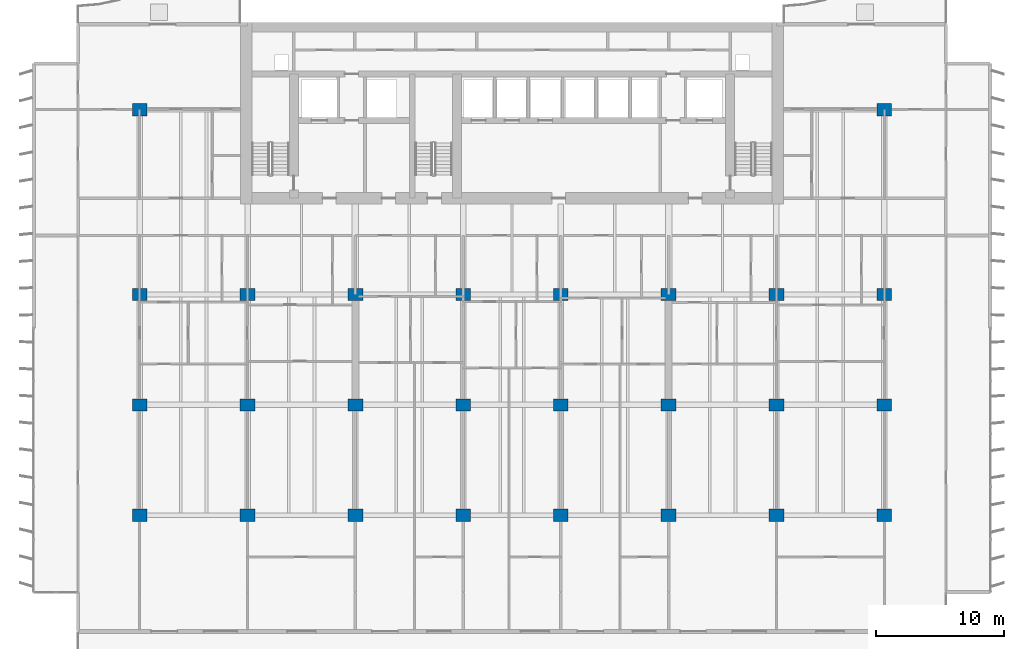
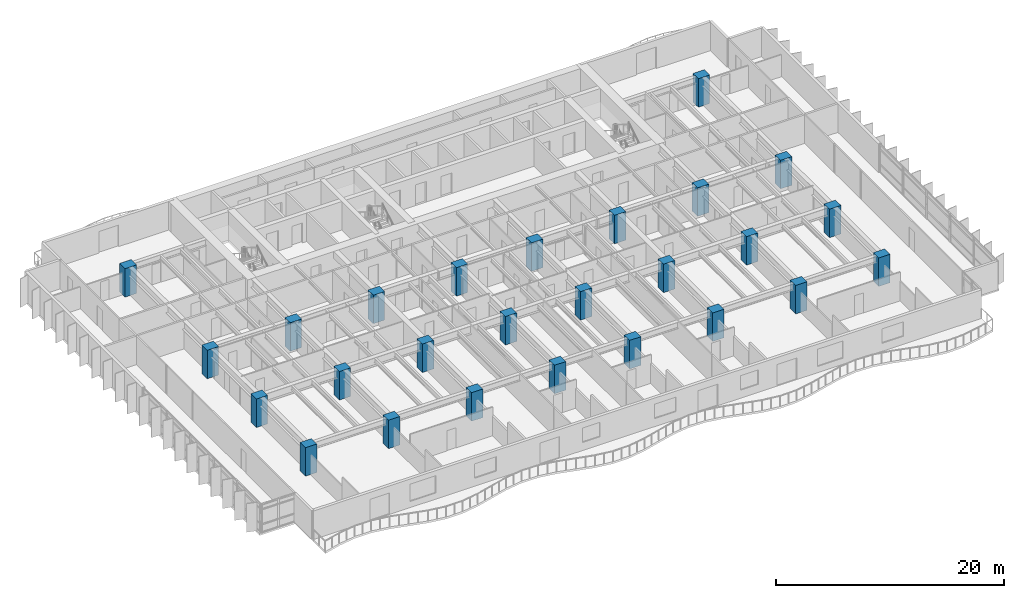
# One storey, part 1 of 18: 26 columns.
"""IFC4 building model written with IfcOpenShell, lengths in metres."""

from ifc_helpers import new_model, si_unit, direction, frame, origin, origin_2d, place, context, subcontext, project, spatial, rectangle, extrude, material, material_profile, profile_set, type_object, element, save


model = new_model("IFC4")

# Units and contexts
model_context = context("Model", 3, precision=1e-05, world=origin(), true_north=direction((0.0, 1.0)))
body_context = subcontext(model_context, "Body", "Model", "MODEL_VIEW")
ifc_project = project(units=[si_unit("LENGTHUNIT", "METRE"), si_unit("AREAUNIT", "SQUARE_METRE"), si_unit("VOLUMEUNIT", "CUBIC_METRE"), si_unit("PLANEANGLEUNIT", "RADIAN"), si_unit("MASSUNIT", "GRAM", prefix="KILO")], contexts=[model_context])

# Site, building, storey
site_placement = place(None, origin())
site = spatial("IfcSite", under=ifc_project, at=site_placement, CompositionType="ELEMENT")
building_placement = place(site_placement, origin())
building = spatial("IfcBuilding", under=site, at=building_placement, Name="Caelmar Bay Residences", CompositionType="ELEMENT")
storey_placement = place(building_placement, frame((0.0, 0.0, 46.5)))
storey = spatial("IfcBuildingStorey", under=building, at=storey_placement, Name="L11", CompositionType="ELEMENT", Elevation=46.5)

# Columns
ifc_material = material(Name="Concrete f'c 70 MPa (10,000 psi)", Category="concrete")
ifc_material_profile = material_profile(ifc_material, rectangle(XDim=1.14990234375, YDim=0.949951171875, at=origin_2d()), Name="RC-COL-1150X950")
ifc_profile_set = profile_set([ifc_material_profile], Name="Concrete f'c 70 MPa (10,000 psi)")
column_type = type_object("IfcColumnType", Name="COL-RC-1150X950", PredefinedType="COLUMN", material=ifc_profile_set)
for number, where, z_axis, x_axis, name in (
    (1, (9.89990234375, 12.199951171875, 0.0), (0.0, 0.0, 1.0), (1.0, 0.0, 0.0), "L11 Column (9.90,12.20)"),
    (2, (18.300048828125, 12.199951171875, 0.0), (0.0, 0.0, 1.0), (1.0, 0.0, 0.0), "L11 Column (18.30,12.20)"),
    (3, (26.699951171875, 12.199951171875, 0.0), (0.0, 0.0, 1.0), (1.0, 0.0, 0.0), "L11 Column (26.70,12.20)"),
    (4, (35.10009765625, 12.199951171875, 0.0), (0.0, 0.0, 1.0), (1.0, 0.0, 0.0), "L11 Column (35.10,12.20)"),
    (5, (42.699951171875, 12.199951171875, 0.0), (0.0, 0.0, 1.0), (1.0, 0.0, 0.0), "L11 Column (42.70,12.20)"),
    (6, (51.10009765625, 12.199951171875, 0.0), (0.0, 0.0, 1.0), (1.0, 0.0, 0.0), "L11 Column (51.10,12.20)"),
    (7, (59.5, 12.199951171875, 0.0), (0.0, 0.0, 1.0), (1.0, 0.0, 0.0), "L11 Column (59.50,12.20)"),
    (8, (67.89990234375, 12.199951171875, 0.0), (0.0, 0.0, 1.0), (1.0, 0.0, 0.0), "L11 Column (67.90,12.20)"),
    (9, (9.89990234375, 20.800048828125, 0.0), (0.0, 0.0, 1.0), (1.0, 0.0, 0.0), "L11 Column (9.90,20.80)"),
    (10, (18.300048828125, 20.800048828125, 0.0), (0.0, 0.0, 1.0), (1.0, 0.0, 0.0), "L11 Column (18.30,20.80)"),
    (11, (26.699951171875, 20.800048828125, 0.0), (0.0, 0.0, 1.0), (1.0, 0.0, 0.0), "L11 Column (26.70,20.80)"),
    (12, (35.10009765625, 20.800048828125, 0.0), (0.0, 0.0, 1.0), (1.0, 0.0, 0.0), "L11 Column (35.10,20.80)"),
    (13, (42.699951171875, 20.800048828125, 0.0), (0.0, 0.0, 1.0), (1.0, 0.0, 0.0), "L11 Column (42.70,20.80)"),
    (14, (51.10009765625, 20.800048828125, 0.0), (0.0, 0.0, 1.0), (1.0, 0.0, 0.0), "L11 Column (51.10,20.80)"),
    (15, (59.5, 20.800048828125, 0.0), (0.0, 0.0, 1.0), (1.0, 0.0, 0.0), "L11 Column (59.50,20.80)"),
    (16, (67.89990234375, 20.800048828125, 0.0), (0.0, 0.0, 1.0), (1.0, 0.0, 0.0), "L11 Column (67.90,20.80)"),
    (17, (9.89990234375, 29.39990234375, 0.0), (0.0, 0.0, 1.0), (1.0, 0.0, 0.0), "L11 Column (9.90,29.40)"),
    (18, (18.300048828125, 29.39990234375, 0.0), (0.0, 0.0, 1.0), (1.0, 0.0, 0.0), "L11 Column (18.30,29.40)"),
    (19, (26.699951171875, 29.39990234375, 0.0), (0.0, 0.0, 1.0), (1.0, 0.0, 0.0), "L11 Column (26.70,29.40)"),
    (20, (35.10009765625, 29.39990234375, 0.0), (0.0, 0.0, 1.0), (1.0, 0.0, 0.0), "L11 Column (35.10,29.40)"),
    (21, (42.699951171875, 29.39990234375, 0.0), (0.0, 0.0, 1.0), (1.0, 0.0, 0.0), "L11 Column (42.70,29.40)"),
    (22, (51.10009765625, 29.39990234375, 0.0), (0.0, 0.0, 1.0), (1.0, 0.0, 0.0), "L11 Column (51.10,29.40)"),
    (23, (59.5, 29.39990234375, 0.0), (0.0, 0.0, 1.0), (1.0, 0.0, 0.0), "L11 Column (59.50,29.40)"),
    (24, (67.89990234375, 29.39990234375, 0.0), (0.0, 0.0, 1.0), (1.0, 0.0, 0.0), "L11 Column (67.90,29.40)"),
    (25, (9.89990234375, 43.800048828125, 0.0), (0.0, 0.0, 1.0), (1.0, 0.0, 0.0), "L11 Column (9.90,43.80)"),
    (26, (67.89990234375, 43.800048828125, 0.0), (0.0, 0.0, 1.0), (1.0, 0.0, 0.0), "L11 Column (67.90,43.80)"),
):
    element("IfcColumn", number, at=place(storey_placement, frame(where, z_axis=z_axis, x_axis=x_axis)), inside=storey, type_object=column_type, Name=name, PredefinedType="COLUMN", context=body_context, shape_type="SweptSolid", body=[
        extrude(rectangle(XDim=1.14990234375, YDim=0.949951171875, at=origin_2d()), origin(), (0.0, 0.0, 1.0), 3.050048828125),
    ])

save(model, "model.ifc")
